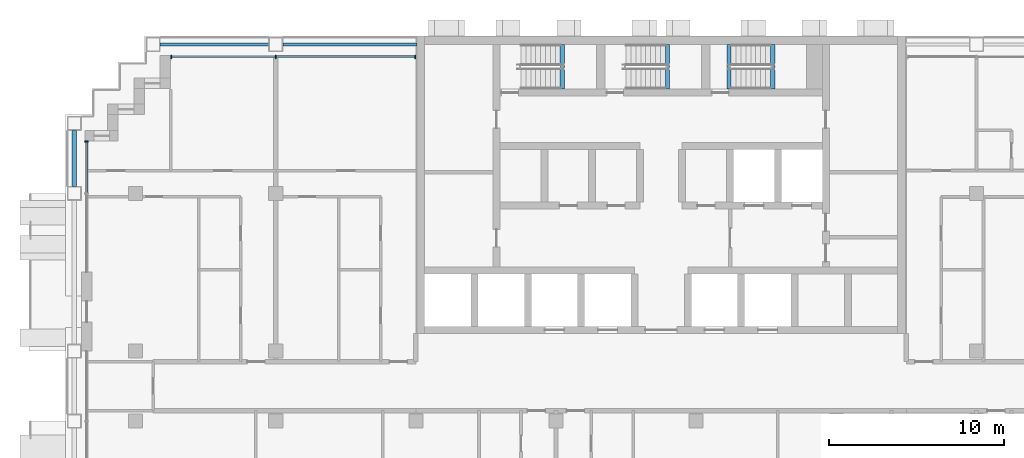
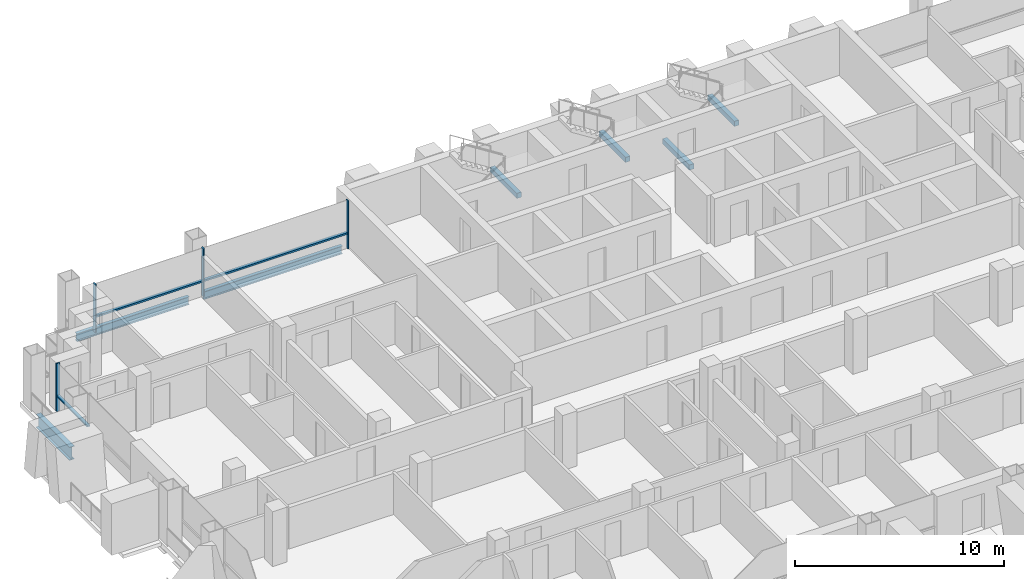
# One storey, part 4 of 17: 7 beams, 7 members, 2 elements without a shape of their own.
"""IFC4 building model written with IfcOpenShell, lengths in metres."""

from ifc_helpers import new_model, si_unit, direction, frame, origin, origin_2d, place, context, subcontext, project, spatial, rectangle, i_section, extrude, material, material_profile, profile_set, type_object, element, aggregate, save


model = new_model("IFC4")

# Units and contexts
model_context = context("Model", 3, precision=1e-05, world=origin(), true_north=direction((0.0, 1.0)))
body_context = subcontext(model_context, "Body", "Model", "MODEL_VIEW")
ifc_project = project(units=[si_unit("LENGTHUNIT", "METRE"), si_unit("AREAUNIT", "SQUARE_METRE"), si_unit("VOLUMEUNIT", "CUBIC_METRE"), si_unit("PLANEANGLEUNIT", "RADIAN"), si_unit("MASSUNIT", "GRAM", prefix="KILO")], contexts=[model_context])

# Site, building, storey
site_placement = place(None, origin())
site = spatial("IfcSite", under=ifc_project, at=site_placement, CompositionType="ELEMENT")
building_placement = place(site_placement, origin())
building = spatial("IfcBuilding", under=site, at=building_placement, Name="Vidyagriha Tower", CompositionType="ELEMENT")
storey_placement = place(building_placement, frame((0.0, 0.0, 148.60009765625)))
storey = spatial("IfcBuildingStorey", under=building, at=storey_placement, Name="L39", CompositionType="ELEMENT", Elevation=148.60009765625)

# Beams
ifc_material_1 = material(Name="Steel ASTM A992 Grade 50", Category="steel")
ifc_material_profile_1 = material_profile(ifc_material_1, i_section(OverallWidth=0.2666015625, OverallDepth=0.76953125, WebThickness=0.015625, FlangeThickness=0.025390625, at=origin_2d()), Name="W30X132")
ifc_profile_set_1 = profile_set([ifc_material_profile_1], Name="Steel ASTM A992 Grade 50")
beam_type_1 = type_object("IfcBeamType", Name="Cantilever edge beam W30X132", PredefinedType="SPANDREL", material=ifc_profile_set_1)
beam_1_placement = place(storey_placement, frame((-33.5, 11.39990234375, -0.664794921875), z_axis=(0.0, 1.0, 0.0), x_axis=(-1.0, 0.0, 0.0)))
element("IfcBeam", 1, at=beam_1_placement, inside=storey, type_object=beam_type_1, Name="st-beam-L39-W13", PredefinedType="SPANDREL", context=body_context, shape_type="SweptSolid", body=[
    extrude(i_section(OverallWidth=0.2666015625, OverallDepth=0.76953125, WebThickness=0.015625, FlangeThickness=0.025390625, at=origin_2d()), origin(), (0.0, 0.0, 1.0), 3.2001953125),
])
ifc_material_2 = material(Name="Steel ASTM A992 Grade 50", Category="steel")
ifc_material_profile_2 = material_profile(ifc_material_2, i_section(OverallWidth=0.19189453125, OverallDepth=0.46240234375, WebThickness=0.010498046875, FlangeThickness=0.017578125, at=origin_2d()), Name="W18X60")
ifc_profile_set_2 = profile_set([ifc_material_profile_2], Name="Steel ASTM A992 Grade 50")
beam_type_2 = type_object("IfcBeamType", Name="Edge beam W18X60", PredefinedType="SPANDREL", material=ifc_profile_set_2)
beam_2_placement = place(storey_placement, frame((-28.60009765625, 19.5, -0.51123046875), z_axis=(1.0, 0.0, 0.0), x_axis=(0.0, 1.0, 0.0)))
element("IfcBeam", 2, at=beam_2_placement, inside=storey, type_object=beam_type_2, Name="st-beam-L39-NW19", PredefinedType="SPANDREL", context=body_context, shape_type="SweptSolid", body=[
    extrude(i_section(OverallWidth=0.19189453125, OverallDepth=0.46240234375, WebThickness=0.010498046875, FlangeThickness=0.017578125, at=origin_2d()), origin(), (0.0, 0.0, 1.0), 6.2001953125),
])
beam_3_placement = place(storey_placement, frame((-21.60009765625, 19.5, -0.51123046875), z_axis=(1.0, 0.0, 0.0), x_axis=(0.0, 1.0, 0.0)))
element("IfcBeam", 3, at=beam_3_placement, inside=storey, type_object=beam_type_2, Name="st-beam-L39-NC22", PredefinedType="SPANDREL", context=body_context, shape_type="SweptSolid", body=[
    extrude(i_section(OverallWidth=0.19189453125, OverallDepth=0.46240234375, WebThickness=0.010498046875, FlangeThickness=0.017578125, at=origin_2d()), origin(), (0.0, 0.0, 1.0), 7.650146484375),
])

# Curtain wall, members
ifc_material_3 = material(Name="Aluminium and glass curtain wall", Category="aluminium")
curtain_wall_type = type_object("IfcCurtainWallType", Name="Dwelling skin unitised curtain wall", PredefinedType="USERDEFINED", material=ifc_material_3)
curtain_wall_1_placement = place(storey_placement, origin())
curtain_wall_1 = element("IfcCurtainWall", 4, at=curtain_wall_1_placement, inside=storey, type_object=curtain_wall_type, Name="CW1 dwelling skin", ObjectType="UNITISED", PredefinedType="USERDEFINED")
ifc_material_4 = material(Name="Aluminium black anodised", Category="aluminium")
ifc_material_profile_3 = material_profile(ifc_material_4, rectangle(XDim=0.199951171875, YDim=0.070068359375, at=origin_2d()), Name="Mullion 70x200 black aluminium")
ifc_profile_set_3 = profile_set([ifc_material_profile_3], Name="Aluminium black anodised")
member_type_1 = type_object("IfcMemberType", Name="Mullion 70x200 black aluminium", PredefinedType="MULLION", material=ifc_profile_set_3)
member_1_placement = place(storey_placement, frame((-14.034912109375, 18.800048828125, 0.0), z_axis=(0.0, 0.0, 1.0), x_axis=(0.0, -1.0, 0.0)))
member_1 = element("IfcMember", 5, at=member_1_placement, type_object=member_type_1, Name="CW1 mullion 1", PredefinedType="MULLION", context=body_context, shape_type="SweptSolid", body=[
    extrude(rectangle(XDim=0.199951171875, YDim=0.070068359375, at=origin_2d()), origin(), (0.0, 0.0, 1.0), 2.7998046875),
])
member_2_placement = place(storey_placement, frame((-22.0, 18.800048828125, 0.0), z_axis=(0.0, 0.0, 1.0), x_axis=(0.0, -1.0, 0.0)))
member_2 = element("IfcMember", 6, at=member_2_placement, type_object=member_type_1, Name="CW1 mullion 2", PredefinedType="MULLION", context=body_context, shape_type="SweptSolid", body=[
    extrude(rectangle(XDim=0.199951171875, YDim=0.070068359375, at=origin_2d()), origin(), (0.0, 0.0, 1.0), 2.7998046875),
])
member_3_placement = place(storey_placement, frame((-27.965087890625, 18.800048828125, 0.0), z_axis=(0.0, 0.0, 1.0), x_axis=(0.0, -1.0, 0.0)))
member_3 = element("IfcMember", 7, at=member_3_placement, type_object=member_type_1, Name="CW1 mullion 3", PredefinedType="MULLION", context=body_context, shape_type="SweptSolid", body=[
    extrude(rectangle(XDim=0.199951171875, YDim=0.070068359375, at=origin_2d()), origin(), (0.0, 0.0, 1.0), 2.7998046875),
])

# Curtain wall, member
curtain_wall_2_placement = place(storey_placement, origin())
curtain_wall_2 = element("IfcCurtainWall", 8, at=curtain_wall_2_placement, inside=storey, type_object=curtain_wall_type, Name="CW1 dwelling skin", ObjectType="UNITISED", PredefinedType="USERDEFINED")
member_4_placement = place(storey_placement, frame((-32.800048828125, 13.965087890625, 0.0)))
member_4 = element("IfcMember", 9, at=member_4_placement, type_object=member_type_1, Name="CW1 mullion 1", PredefinedType="MULLION", context=body_context, shape_type="SweptSolid", body=[
    extrude(rectangle(XDim=0.199951171875, YDim=0.070068359375, at=origin_2d()), origin(), (0.0, 0.0, 1.0), 2.7998046875),
])

# Beams
ifc_material_5 = material(Name="Concrete C40/50", Category="concrete")
ifc_material_profile_4 = material_profile(ifc_material_5, rectangle(XDim=0.25, YDim=0.300048828125, at=origin_2d()), Name="Stair landing bearing beam 250x300")
ifc_profile_set_4 = profile_set([ifc_material_profile_4], Name="Concrete C40/50")
beam_type_3 = type_object("IfcBeamType", Name="Stair landing bearing beam 250x300", PredefinedType="BEAM", material=ifc_profile_set_4)
for number, where, z_axis, x_axis, name in (
    (10, (3.875, 16.949951171875, -0.43017578125), (0.0, 1.0, 0.0), (-1.0, 0.0, 0.0), "ST3 floor landing bearing beam L39"),
    (11, (-5.635009765625, 16.949951171875, 1.25), (0.0, 1.0, 0.0), (-1.0, 0.0, 0.0), "ST1 landing bearing beam L39"),
    (12, (0.364990234375, 16.949951171875, 1.25), (0.0, 1.0, 0.0), (-1.0, 0.0, 0.0), "ST2 landing bearing beam L39"),
    (13, (6.364990234375, 16.949951171875, 1.25), (0.0, 1.0, 0.0), (-1.0, 0.0, 0.0), "ST3 landing bearing beam L39"),
):
    element("IfcBeam", number, at=place(storey_placement, frame(where, z_axis=z_axis, x_axis=x_axis)), inside=storey, type_object=beam_type_3, Name=name, PredefinedType="BEAM", context=body_context, shape_type="SweptSolid", body=[
        extrude(rectangle(XDim=0.25, YDim=0.300048828125, at=origin_2d()), origin(), (0.0, 0.0, 1.0), 2.550048828125),
    ])

# Member
ifc_material_6 = material(Name="Aluminium black anodised", Category="aluminium")
ifc_material_profile_5 = material_profile(ifc_material_6, rectangle(XDim=0.159912109375, YDim=0.10009765625, at=origin_2d()), Name="Transom 100x160 black aluminium")
ifc_profile_set_5 = profile_set([ifc_material_profile_5], Name="Aluminium black anodised")
member_type_2 = type_object("IfcMemberType", Name="Transom 100x160 black aluminium", PredefinedType="USERDEFINED", material=ifc_profile_set_5)
member_5_placement = place(storey_placement, frame((-14.070068359375, 18.800048828125, 0.89990234375), z_axis=(-1.0, 0.0, 0.0), x_axis=(0.0, -1.0, 0.0)))
member_5 = element("IfcMember", 14, at=member_5_placement, type_object=member_type_2, Name="CW1 transom 1.1", ObjectType="TRANSOM", PredefinedType="USERDEFINED", context=body_context, shape_type="SweptSolid", body=[
    extrude(rectangle(XDim=0.159912109375, YDim=0.10009765625, at=origin_2d()), origin(), (0.0, 0.0, 1.0), 7.89501953125),
])

member_6_placement = place(storey_placement, frame((-22.034912109375, 18.800048828125, 0.89990234375), z_axis=(-1.0, 0.0, 0.0), x_axis=(0.0, -1.0, 0.0)))
member_6 = element("IfcMember", 15, at=member_6_placement, type_object=member_type_2, Name="CW1 transom 2.1", ObjectType="TRANSOM", PredefinedType="USERDEFINED", context=body_context, shape_type="SweptSolid", body=[
    extrude(rectangle(XDim=0.159912109375, YDim=0.10009765625, at=origin_2d()), origin(), (0.0, 0.0, 1.0), 5.89501953125),
])

aggregate(curtain_wall_1, [member_1, member_2, member_3, member_5, member_6])

member_7_placement = place(storey_placement, frame((-32.800048828125, 13.929931640625, 0.89990234375), z_axis=(0.0, -1.0, 0.0), x_axis=(1.0, 0.0, 0.0)))
member_7 = element("IfcMember", 16, at=member_7_placement, type_object=member_type_2, Name="CW1 transom 1.1", ObjectType="TRANSOM", PredefinedType="USERDEFINED", context=body_context, shape_type="SweptSolid", body=[
    extrude(rectangle(XDim=0.159912109375, YDim=0.10009765625, at=origin_2d()), origin(), (0.0, 0.0, 1.0), 2.89501953125),
])

aggregate(curtain_wall_2, [member_4, member_7])

save(model, "model.ifc")
